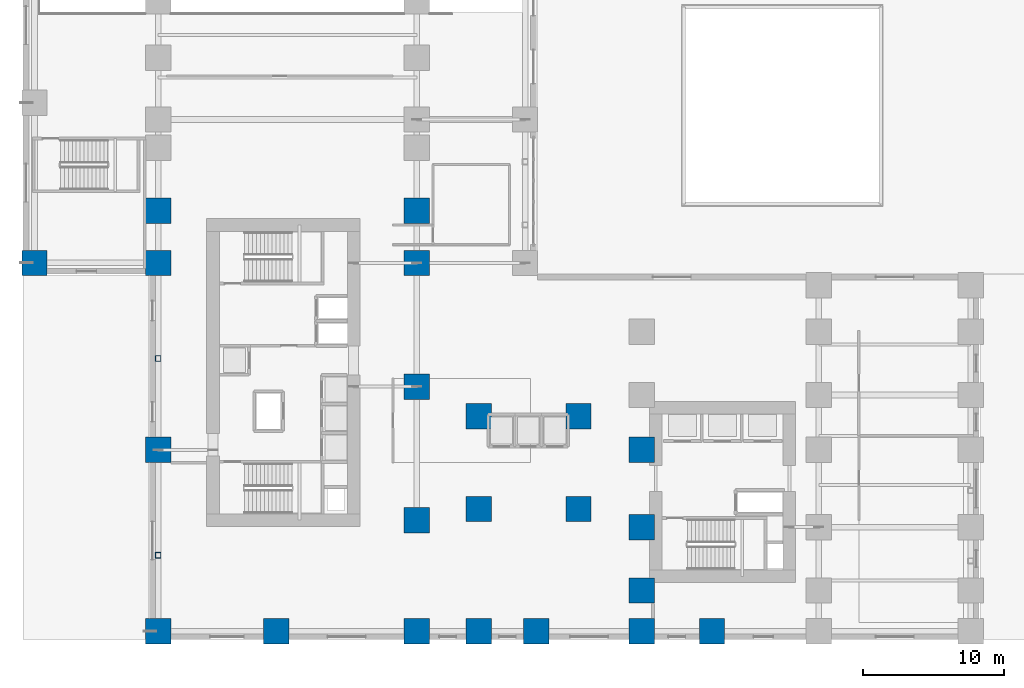
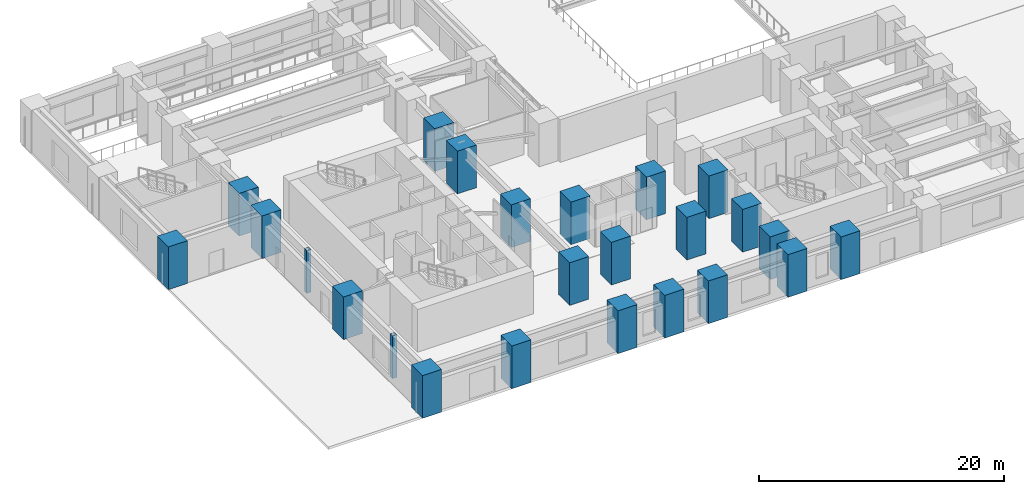
# One storey, part 1 of 23: 24 columns.
"""IFC4 building model written with IfcOpenShell, lengths in metres."""

import ifcopenshell
import ifcopenshell.guid

model = None  # the IFC model being written
_history = None  # IfcOwnerHistory: only IFC2X3 demands one
_inside = {}  # id of a spatial element -> (the spatial element, [elements in it])
_under = {}  # id of a project, library or spatial element -> (it, [spatial elements below it])
_declared = {}  # id of a project -> (the project, [libraries it declares])
_typed = {}  # id of a type object -> (the type object, [elements of that type])
_made_of = {}  # id of a material, layer set ... -> (it, [elements and type objects made of it])


def new_model(schema):
    """Start an empty IFC model of exactly this schema.

    Asked for "IFC4X3", IfcOpenShell would pick the latest addendum, in which some entities
    have other attributes; the version numbers below select the first issue.
    IFC2X3 requires an IfcOwnerHistory on every rooted entity: one is made here for all.
    """
    global model, _history
    if schema == "IFC4X3":
        model = ifcopenshell.file(schema_version=(4, 3, 0, 0))
    else:
        model = ifcopenshell.file(schema=schema)
    _inside.clear()
    _under.clear()
    _declared.clear()
    _typed.clear()
    _made_of.clear()
    _history = None
    if model.schema == "IFC2X3":
        org = make("IfcOrganization", Name="unknown")
        user = make(
            "IfcPersonAndOrganization",
            ThePerson=make("IfcPerson", FamilyName="unknown"),
            TheOrganization=org,
        )
        app = make(
            "IfcApplication",
            ApplicationDeveloper=org,
            Version="unknown",
            ApplicationFullName="unknown",
            ApplicationIdentifier="unknown",
        )
        _history = make(
            "IfcOwnerHistory",
            OwningUser=user,
            OwningApplication=app,
            ChangeAction="ADDED",
            CreationDate=0,
        )
    return model


def make(cls, **values):
    """One entity of the class cls with the attributes given. An attribute that is None is left unset."""
    return model.create_entity(
        cls, **{name: value for name, value in values.items() if value is not None}
    )


def rooted(cls, **values):
    """An entity with a GlobalId (a new one), such as an element, a storey or a relation."""
    return make(cls, GlobalId=ifcopenshell.guid.new(), OwnerHistory=_history, **values)


def si_unit(unit_type, name, prefix=None):
    """IfcSIUnit, for example si_unit("LENGTHUNIT", "METRE", prefix="MILLI")."""
    return make("IfcSIUnit", UnitType=unit_type, Prefix=prefix, Name=name)


def assignment(units):
    """IfcUnitAssignment: the units of a project."""
    return None if units is None else make("IfcUnitAssignment", Units=units)


def point(xyz):
    """IfcCartesianPoint."""
    return None if xyz is None else make("IfcCartesianPoint", Coordinates=xyz)


def direction(xyz):
    """IfcDirection."""
    return None if xyz is None else make("IfcDirection", DirectionRatios=xyz)


def frame(location, z_axis=None, x_axis=None):
    """IfcAxis2Placement3D, a coordinate frame: its origin and axes. An axis left out is left unset."""
    return make(
        "IfcAxis2Placement3D",
        Location=point(location),
        Axis=direction(z_axis),
        RefDirection=direction(x_axis),
    )


def frame_2d(location, x_axis=None):
    """IfcAxis2Placement2D, a coordinate frame in the plane: its origin and x axis."""
    return make(
        "IfcAxis2Placement2D", Location=point(location), RefDirection=direction(x_axis)
    )


def origin():
    """The frame at (0, 0, 0) with its axes left unset."""
    return frame((0.0, 0.0, 0.0))


def origin_2d():
    """The frame at (0, 0) in the plane with its x axis left unset."""
    return frame_2d((0.0, 0.0))


def place(relative_to, where):
    """IfcLocalPlacement: puts the frame where relative to a parent placement (None: the world)."""
    return make(
        "IfcLocalPlacement", PlacementRelTo=relative_to, RelativePlacement=where
    )


def context(
    kind, dimensions, precision=None, world=None, true_north=None, identifier=None
):
    """IfcGeometricRepresentationContext, for example the 3D "Model" context."""
    return make(
        "IfcGeometricRepresentationContext",
        ContextIdentifier=identifier,
        ContextType=kind,
        CoordinateSpaceDimension=dimensions,
        Precision=precision,
        WorldCoordinateSystem=world,
        TrueNorth=true_north,
    )


def subcontext(parent, identifier, kind, view, scale=None):
    """IfcGeometricRepresentationSubContext, for example "Body" below "Model"."""
    return make(
        "IfcGeometricRepresentationSubContext",
        ContextIdentifier=identifier,
        ContextType=kind,
        ParentContext=parent,
        TargetScale=scale,
        TargetView=view,
    )


def project(units=None, contexts=None):
    """IfcProject with its units and contexts."""
    return rooted(
        "IfcProject",
        Name="project",
        RepresentationContexts=contexts,
        UnitsInContext=assignment(units),
    )


def spatial(cls, under=None, at=None, **own):
    """A site, building, storey or space (cls), placed at a placement, below another one or the project."""
    s = rooted(cls, ObjectPlacement=at, **own)
    if under is not None:
        _under.setdefault(under.id(), (under, []))[1].append(s)
    return s


def profile(cls, at=None, kind="AREA", **sizes):
    """A parametric profile (cls). Its sizes go by their IFC names, for example OverallWidth=200.0."""
    return make(cls, ProfileType=kind, Position=at, **sizes)


def rectangle(**sizes):
    """IfcRectangleProfileDef."""
    return profile("IfcRectangleProfileDef", **sizes)


def hollow_rectangle(**sizes):
    """IfcRectangleHollowProfileDef."""
    return profile("IfcRectangleHollowProfileDef", **sizes)


def extrude(swept, where, along, depth):
    """IfcExtrudedAreaSolid: the profile swept, set in the frame where, extruded along a direction by depth."""
    return make(
        "IfcExtrudedAreaSolid",
        SweptArea=swept,
        Position=where,
        ExtrudedDirection=direction(along),
        Depth=depth,
    )


def shape(context_of_items, identifier, shape_type, items):
    """IfcShapeRepresentation: the items that make up one representation, for example the "Body"."""
    return make(
        "IfcShapeRepresentation",
        ContextOfItems=context_of_items,
        RepresentationIdentifier=identifier,
        RepresentationType=shape_type,
        Items=items,
    )


def source(mapping_origin, context_of_items, identifier, shape_type, items):
    """IfcRepresentationMap: a shape defined once, which mapped items show again and again."""
    return make(
        "IfcRepresentationMap",
        MappingOrigin=mapping_origin,
        MappedRepresentation=shape(context_of_items, identifier, shape_type, items),
    )


def transform(
    local_origin,
    x_axis=None,
    y_axis=None,
    z_axis=None,
    scale=None,
    scale2=None,
    scale3=None,
    uniform=True,
):
    """IfcCartesianTransformationOperator3D, or its non-uniform kind. x_axis, y_axis, z_axis: its Axis1, 2, 3."""
    if uniform:
        return make(
            "IfcCartesianTransformationOperator3D",
            Axis1=direction(x_axis),
            Axis2=direction(y_axis),
            LocalOrigin=point(local_origin),
            Scale=scale,
            Axis3=direction(z_axis),
        )
    return make(
        "IfcCartesianTransformationOperator3DnonUniform",
        Axis1=direction(x_axis),
        Axis2=direction(y_axis),
        LocalOrigin=point(local_origin),
        Scale=scale,
        Axis3=direction(z_axis),
        Scale2=scale2,
        Scale3=scale3,
    )


def mapped(mapping_source, mapping_target):
    """IfcMappedItem: shows the shape of a source again, moved by a transform."""
    return make(
        "IfcMappedItem", MappingSource=mapping_source, MappingTarget=mapping_target
    )


def material(Name=None, Category=None):
    """IfcMaterial."""
    return make("IfcMaterial", Name=Name, Category=Category)


def material_profile(
    of_material, cross_section, Name=None, Category=None, Priority=None
):
    """IfcMaterialProfile: a cross section and its material."""
    return make(
        "IfcMaterialProfile",
        Name=Name,
        Material=of_material,
        Profile=cross_section,
        Priority=Priority,
        Category=Category,
    )


def profile_set(profiles, Name=None, composite=None):
    """IfcMaterialProfileSet."""
    return make(
        "IfcMaterialProfileSet",
        Name=Name,
        MaterialProfiles=profiles,
        CompositeProfile=composite,
    )


def made_of(thing, what):
    """Note that an element or type object is made of a material, layer set ...; save() writes the relation."""
    if what is not None:
        _made_of.setdefault(what.id(), (what, []))[1].append(thing)
    return thing


def type_object(cls, material=None, **own):
    """A type object (cls), such as IfcWallType, which elements share."""
    return made_of(rooted(cls, **own), material)


def element(
    cls,
    number,
    at=None,
    inside=None,
    cuts=None,
    type_object=None,
    material=None,
    context=None,
    identifier="Body",
    shape_type=None,
    held_by="IfcProductDefinitionShape",
    body=None,
    shapes=None,
    **own,
):
    """One element of the class cls, such as IfcWall. Its Tag is "e" and its number.

    at: its placement. inside: the storey or other place that contains it. cuts: it is an
    opening in that element (IfcRelVoidsElement). A single representation is given by context,
    identifier, shape_type and body (its items); several are given by shapes. held_by: the class
    of the entity that holds the representations. save() writes the other relations.
    """
    e = rooted(cls, Tag="e%d" % number, ObjectPlacement=at, **own)
    if body is not None:
        shapes = [shape(context, identifier, shape_type, body)]
    if shapes is not None:
        e.Representation = make(held_by, Representations=shapes)
    if inside is not None:
        _inside.setdefault(inside.id(), (inside, []))[1].append(e)
    if cuts is not None:
        rooted(
            "IfcRelVoidsElement", RelatingBuildingElement=cuts, RelatedOpeningElement=e
        )
    if type_object is not None:
        _typed.setdefault(type_object.id(), (type_object, []))[1].append(e)
    return made_of(e, material)


def aggregate(whole, parts):
    """IfcRelAggregates: a whole, such as a stair, and the parts it consists of."""
    return rooted("IfcRelAggregates", RelatingObject=whole, RelatedObjects=parts)


def save(model, path):
    """Write the relations noted so far, then the file.

    IfcRelAggregates (storeys below a building ...), IfcRelContainedInSpatialStructure (elements
    in a storey), IfcRelDefinesByType, IfcRelAssociatesMaterial and IfcRelDeclares: one each for
    every whole, place, type object, material and project.
    """
    for whole, parts in _under.values():
        aggregate(whole, parts)
    for where, things in _inside.values():
        rooted(
            "IfcRelContainedInSpatialStructure",
            RelatedElements=things,
            RelatingStructure=where,
        )
    for kind, things in _typed.values():
        rooted("IfcRelDefinesByType", RelatedObjects=things, RelatingType=kind)
    for what, things in _made_of.values():
        rooted("IfcRelAssociatesMaterial", RelatedObjects=things, RelatingMaterial=what)
    for by, libraries in _declared.values():
        rooted("IfcRelDeclares", RelatingContext=by, RelatedDefinitions=libraries)
    model.write(path)


model = new_model("IFC4")

# Units and contexts
model_context = context("Model", 3, precision=1e-05, world=origin(), true_north=direction((0.0, 1.0)))
body_context = subcontext(model_context, "Body", "Model", "MODEL_VIEW")
ifc_project = project(units=[si_unit("LENGTHUNIT", "METRE"), si_unit("AREAUNIT", "SQUARE_METRE"), si_unit("VOLUMEUNIT", "CUBIC_METRE"), si_unit("PLANEANGLEUNIT", "RADIAN"), si_unit("MASSUNIT", "GRAM", prefix="KILO")], contexts=[model_context])

# Site, building, storey
site_placement = place(None, origin())
site = spatial("IfcSite", under=ifc_project, at=site_placement, CompositionType="ELEMENT")
building_placement = place(site_placement, origin())
building = spatial("IfcBuilding", under=site, at=building_placement, Name="Kharzan Plaza Tower", CompositionType="ELEMENT")
storey_placement = place(building_placement, origin())
storey = spatial("IfcBuildingStorey", under=building, at=storey_placement, Name="L00", CompositionType="ELEMENT", Elevation=0.0)

# Columns
ifc_material_1 = material(Name="Concrete C60/75", Category="concrete")
ifc_material_profile_1 = material_profile(ifc_material_1, rectangle(XDim=1.800048828125, YDim=1.800048828125, at=origin_2d()), Name="RC-MC1800x1800")
ifc_profile_set_1 = profile_set([ifc_material_profile_1], Name="Concrete C60/75")
column_type_1 = type_object("IfcColumnType", Name="COL-MC1800", PredefinedType="COLUMN", material=ifc_profile_set_1)
shared_shape_1 = source(origin(), body_context, "Body", "SweptSolid", [
    extrude(rectangle(XDim=1.800048828125, YDim=1.800048828125, at=origin_2d()), origin(), (0.0, 0.0, 1.0), 4.25),
])
for number, where, z_axis, x_axis, name in (
    (1, (-8.199951171875, 26.800048828125, 0.0), (0.0, 0.0, 1.0), (1.0, 0.0, 0.0), "L00 Podium Mega-Column MC01"),
    (2, (0.60009765625, 0.60009765625, 0.0), (0.0, 0.0, 1.0), (1.0, 0.0, 0.0), "L00 Podium Mega-Column MC04"),
    (3, (0.60009765625, 13.5, 0.0), (0.0, 0.0, 1.0), (1.0, 0.0, 0.0), "L00 Podium Mega-Column MC05"),
    (4, (0.60009765625, 26.800048828125, 0.0), (0.0, 0.0, 1.0), (1.0, 0.0, 0.0), "L00 Podium Mega-Column MC06"),
    (5, (0.60009765625, 30.5, 0.0), (0.0, 0.0, 1.0), (1.0, 0.0, 0.0), "L00 Podium Mega-Column MC07"),
    (6, (9.0, 0.60009765625, 0.0), (0.0, 0.0, 1.0), (1.0, 0.0, 0.0), "L00 Podium Mega-Column MC13"),
    (7, (19.0, 0.60009765625, 0.0), (0.0, 0.0, 1.0), (1.0, 0.0, 0.0), "L00 Podium Mega-Column MC14"),
    (8, (27.5, 0.60009765625, 0.0), (0.0, 0.0, 1.0), (1.0, 0.0, 0.0), "L00 Podium Mega-Column MC15"),
    (9, (35.0, 0.60009765625, 0.0), (0.0, 0.0, 1.0), (1.0, 0.0, 0.0), "L00 Podium Mega-Column MC16"),
    (10, (40.0, 0.60009765625, 0.0), (0.0, 0.0, 1.0), (1.0, 0.0, 0.0), "L00 Podium Mega-Column MC17"),
    (11, (19.0, 8.5, 0.0), (0.0, 0.0, 1.0), (1.0, 0.0, 0.0), "L00 Podium Mega-Column MC37"),
    (12, (19.0, 18.0, 0.0), (0.0, 0.0, 1.0), (1.0, 0.0, 0.0), "L00 Podium Mega-Column MC38"),
    (13, (19.0, 26.800048828125, 0.0), (0.0, 0.0, 1.0), (1.0, 0.0, 0.0), "L00 Podium Mega-Column MC39"),
    (14, (19.0, 30.5, 0.0), (0.0, 0.0, 1.0), (1.0, 0.0, 0.0), "L00 Podium Mega-Column MC40"),
    (15, (35.0, 3.5, 0.0), (0.0, 0.0, 1.0), (1.0, 0.0, 0.0), "L00 Podium Mega-Column MC45"),
    (16, (35.0, 8.0, 0.0), (0.0, 0.0, 1.0), (1.0, 0.0, 0.0), "L00 Podium Mega-Column MC46"),
    (17, (35.0, 13.5, 0.0), (0.0, 0.0, 1.0), (1.0, 0.0, 0.0), "L00 Podium Mega-Column MC47"),
    (18, (23.39990234375, 0.60009765625, 0.0), (0.0, 0.0, 1.0), (1.0, 0.0, 0.0), "L00 Podium Mega-Column MC50"),
    (19, (23.39990234375, 9.300048828125, 0.0), (0.0, 0.0, 1.0), (1.0, 0.0, 0.0), "L00 Podium Mega-Column MC51"),
    (20, (30.5, 9.300048828125, 0.0), (0.0, 0.0, 1.0), (1.0, 0.0, 0.0), "L00 Podium Mega-Column MC52"),
    (21, (23.39990234375, 15.89990234375, 0.0), (0.0, 0.0, 1.0), (1.0, 0.0, 0.0), "L00 Podium Mega-Column MC53"),
    (22, (30.5, 15.89990234375, 0.0), (0.0, 0.0, 1.0), (1.0, 0.0, 0.0), "L00 Podium Mega-Column MC54"),
):
    element("IfcColumn", number, at=place(storey_placement, frame(where, z_axis=z_axis, x_axis=x_axis)), inside=storey, type_object=column_type_1, Name=name, PredefinedType="COLUMN", context=body_context, shape_type="MappedRepresentation", body=[
        mapped(shared_shape_1, transform((0.0, 0.0, 0.0), x_axis=(1.0, 0.0, 0.0), y_axis=(0.0, 1.0, 0.0), z_axis=(0.0, 0.0, 1.0))),
    ])
ifc_material_2 = material(Name="Steel S355", Category="steel")
ifc_material_profile_2 = material_profile(ifc_material_2, hollow_rectangle(XDim=0.39990234375, YDim=0.39990234375, WallThickness=0.02001953125, at=origin_2d()), Name="SHS400x400x20")
ifc_profile_set_2 = profile_set([ifc_material_profile_2], Name="Steel S355")
column_type_2 = type_object("IfcColumnType", Name="COL-PIL400", PredefinedType="PILASTER", material=ifc_profile_set_2)
shared_shape_2 = source(origin(), body_context, "Body", "SweptSolid", [
    extrude(hollow_rectangle(XDim=0.39990234375, YDim=0.39990234375, WallThickness=0.02001953125, at=origin_2d()), origin(), (0.0, 0.0, 1.0), 4.25),
])
for number, where, z_axis, x_axis, name in (
    (23, (0.60009765625, 6.0, 0.0), (0.0, 0.0, 1.0), (1.0, 0.0, 0.0), "L00 Portal Steel Pilaster 3"),
    (24, (0.60009765625, 20.0, 0.0), (0.0, 0.0, 1.0), (1.0, 0.0, 0.0), "L00 Portal Steel Pilaster 4"),
):
    element("IfcColumn", number, at=place(storey_placement, frame(where, z_axis=z_axis, x_axis=x_axis)), inside=storey, type_object=column_type_2, Name=name, PredefinedType="PILASTER", context=body_context, shape_type="MappedRepresentation", body=[
        mapped(shared_shape_2, transform((0.0, 0.0, 0.0), x_axis=(1.0, 0.0, 0.0), y_axis=(0.0, 1.0, 0.0), z_axis=(0.0, 0.0, 1.0))),
    ])

save(model, "model.ifc")
